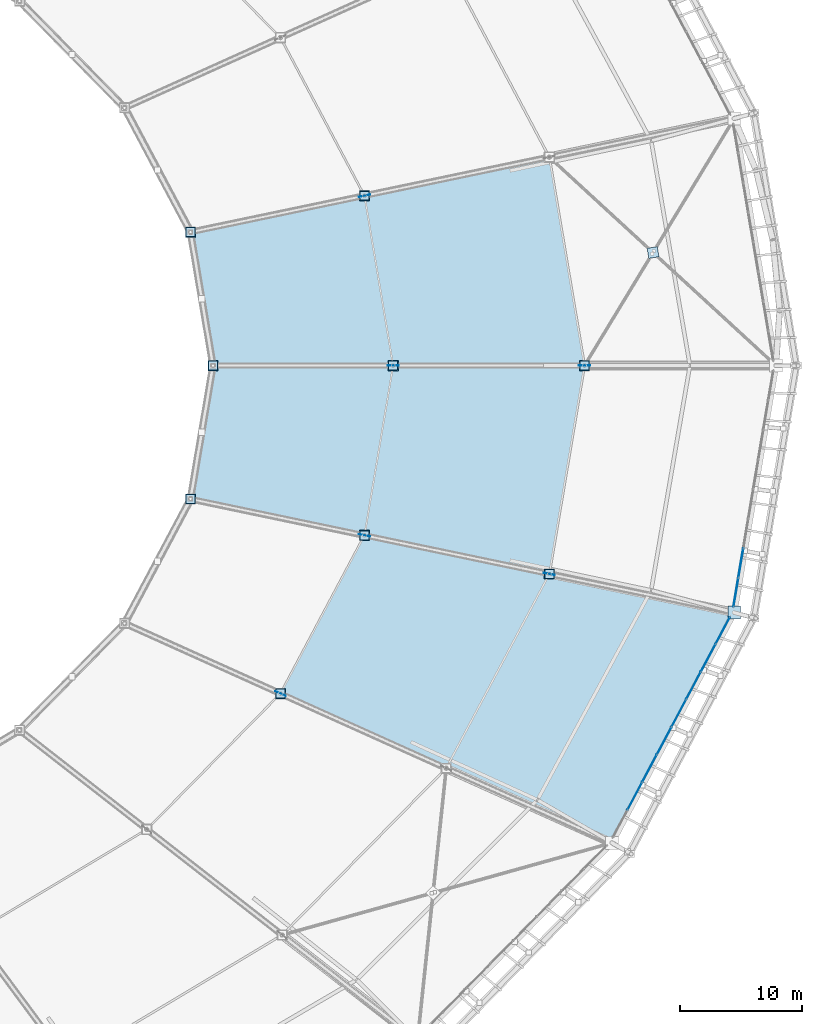
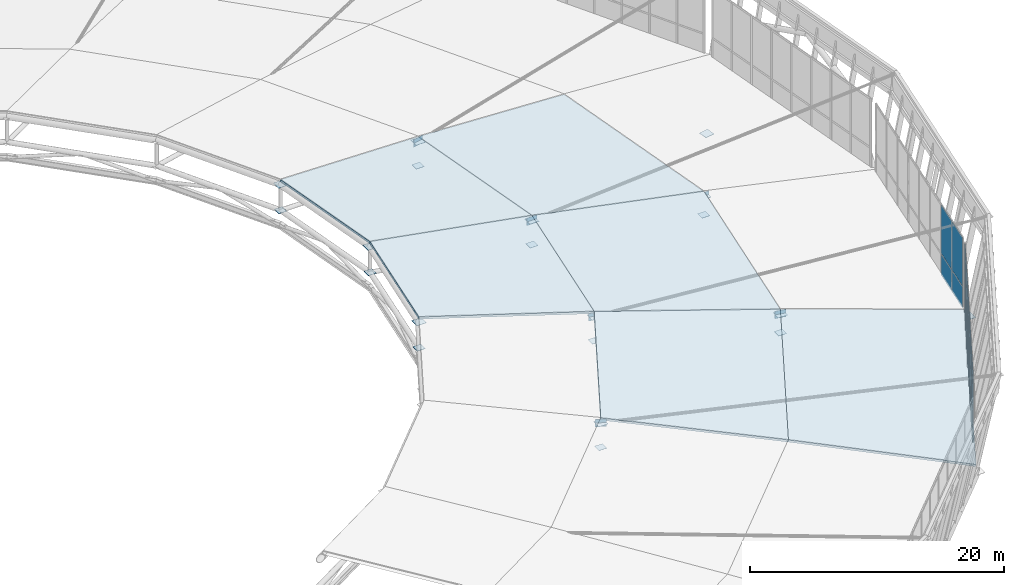
# One storey, part 92 of 115: 44 plates, 6 slabs, 4 elements without a shape of their own.
"""IFC4 building model written with IfcOpenShell, lengths in metres."""

from ifc_helpers import new_model, si_unit, direction, frame, origin, origin_2d, place, context, subcontext, project, spatial, polyline, rectangle, outline, extrude, material, layer, layer_set, type_object, element, aggregate, save


model = new_model("IFC4")

# Units and contexts
model_context = context("Model", 3, precision=1e-05, world=origin(), true_north=direction((0.0, 1.0)))
body_context = subcontext(model_context, "Body", "Model", "MODEL_VIEW")
ifc_project = project(units=[si_unit("LENGTHUNIT", "METRE"), si_unit("AREAUNIT", "SQUARE_METRE"), si_unit("VOLUMEUNIT", "CUBIC_METRE"), si_unit("PLANEANGLEUNIT", "RADIAN"), si_unit("MASSUNIT", "GRAM", prefix="KILO")], contexts=[model_context])

# Site, building, storey
site_placement = place(None, origin())
site = spatial("IfcSite", under=ifc_project, at=site_placement, CompositionType="ELEMENT")
building_placement = place(site_placement, origin())
building = spatial("IfcBuilding", under=site, at=building_placement, Name="Zlatoyarsky Gate Stadium", CompositionType="ELEMENT")
storey_placement = place(building_placement, frame((0.0, 0.0, 31.800048828125)))
storey = spatial("IfcBuildingStorey", under=building, at=storey_placement, Name="RF", CompositionType="ELEMENT", Elevation=31.800048828125)

# Roof, slabs
ifc_material_1 = material(Name="Standing-seam aluminium-zinc roofing with mineral wool insulation", Category="aluminium")
ifc_layer_1 = layer(ifc_material_1, 0.080078125)
ifc_layer_set_1 = layer_set([ifc_layer_1], Name="Standing-seam aluminium-zinc roofing with mineral wool insulation")
roof_type = type_object("IfcRoofType", Name="STADIUM BARREL VAULT ROOF ASSEMBLY", PredefinedType="BARREL_ROOF", material=ifc_layer_set_1)
roof_1_placement = place(storey_placement, origin())
roof_1 = element("IfcRoof", 1, at=roof_1_placement, inside=storey, type_object=roof_type, Name="Stadium barrel arch roof sector 1", PredefinedType="BARREL_ROOF")
ifc_material_2 = material(Name="Concrete C40/50", Category="concrete")
ifc_layer_2 = layer(ifc_material_2, 0.199951171875)
ifc_layer_set_2 = layer_set([ifc_layer_2], Name="Concrete C40/50")
slab_type = type_object("IfcSlabType", Name="COMPOSITE STADIUM ROOF DECK SLAB 200", PredefinedType="ROOF", material=ifc_layer_set_2)
slab_1_placement = place(storey_placement, frame((195.38330078125, 80.0, 3.599853515625), z_axis=(0.197288387171, 0.033296875225, 0.979779878538), x_axis=(-0.166415266345, 0.98605575863, -7.92078e-07)))
slab_1 = element("IfcSlab", 2, at=slab_1_placement, type_object=slab_type, Name="Stadium arched roof deck sector 00 bay 2", PredefinedType="ROOF", context=body_context, shape_type="SweptSolid", body=[
    extrude(outline(polyline([(0.0, 0.0), (17.27754285655257, 4.440892098500626e-16), (16.677650205279438, 15.74462196374074), (2.603445710929395, 15.744497847299712), (0.0, 0.0)])), origin(), (0.0, 0.0, -1.0), 0.199951171875),
])
slab_2_placement = place(storey_placement, frame((179.739013671875, 80.0, 6.75), z_axis=(0.177045392064, 0.029881380548, 0.983748968104), x_axis=(-0.166423993428, 0.986054285732, -6.3215e-08)))
slab_2 = element("IfcSlab", 3, at=slab_2_placement, type_object=slab_type, Name="Stadium arched roof deck sector 00 bay 3", PredefinedType="ROOF", context=body_context, shape_type="SweptSolid", body=[
    extrude(outline(polyline([(0.0, 0.0), (14.074204494904219, 0.0), (13.509954511495028, 14.758634617646527), (2.4504468646312674, 14.758625768629122), (0.0, 0.0)])), origin(), (0.0, 0.0, -1.0), 0.199951171875),
])
aggregate(roof_1, [slab_1, slab_2])

roof_2_placement = place(storey_placement, origin())
roof_2 = element("IfcRoof", 4, at=roof_2_placement, inside=storey, type_object=roof_type, Name="Stadium barrel arch roof sector 8", PredefinedType="BARREL_ROOF")
slab_3_placement = place(storey_placement, frame((197.62646484375, 40.986083984375, 0.199951171875), z_axis=(0.197393520935, -0.104815476231, 0.974704834212), x_axis=(0.468978328534, 0.8832096735, 7.78726e-07)))
slab_3 = element("IfcSlab", 5, at=slab_3_placement, type_object=slab_type, Name="Stadium arched roof deck sector 22 bay 1", PredefinedType="ROOF", context=body_context, shape_type="SweptSolid", body=[
    extrude(outline(polyline([(0.0, 0.0), (21.30733667960491, 3.552713678800501e-15), (17.010139596106686, 15.212300335087066), (-0.9647004759132345, 15.21243720578129), (0.0, 0.0)])), origin(), (0.0, 0.0, -1.0), 0.199951171875),
])
slab_4_placement = place(storey_placement, frame((184.078125, 47.087890625, 3.599853515625), z_axis=(0.183541042483, -0.097459660481, 0.97816885061), x_axis=(0.46898487922, 0.883206195099, -1.019999e-06)))
slab_4 = element("IfcSlab", 6, at=slab_4_placement, type_object=slab_type, Name="Stadium arched roof deck sector 22 bay 2", PredefinedType="ROOF", context=body_context, shape_type="SweptSolid", body=[
    extrude(outline(polyline([(0.0, 0.0), (17.97484007253932, 0.0), (13.67762828224083, 15.158725632562989), (-0.9648163121027542, 15.15856553760574), (0.0, 0.0)])), origin(), (0.0, 0.0, -1.0), 0.199951171875),
])
slab_5_placement = place(storey_placement, frame((192.508056640625, 62.96337890625, 3.599853515625), z_axis=(0.197288387171, -0.033296875225, 0.979779878538), x_axis=(0.166415266345, 0.98605575863, 7.92078e-07)))
slab_5 = element("IfcSlab", 7, at=slab_5_placement, type_object=slab_type, Name="Stadium arched roof deck sector 23 bay 2", PredefinedType="ROOF", context=body_context, shape_type="SweptSolid", body=[
    extrude(outline(polyline([(0.0, 0.0), (17.27754285655257, -4.440892098500626e-16), (14.674097145623177, 15.744497847299712), (0.5998926512731327, 15.744621963740737), (0.0, 0.0)])), origin(), (0.0, 0.0, -1.0), 0.199951171875),
])
slab_6_placement = place(storey_placement, frame((177.396728515625, 66.1220703125, 6.75), z_axis=(0.177045392064, -0.029881380548, 0.983748968104), x_axis=(0.166423993428, 0.986054285732, 6.3215e-08)))
slab_6 = element("IfcSlab", 8, at=slab_6_placement, type_object=slab_type, Name="Stadium arched roof deck sector 23 bay 3", PredefinedType="ROOF", context=body_context, shape_type="SweptSolid", body=[
    extrude(outline(polyline([(0.0, 0.0), (14.074204494904219, 0.0), (11.623757630272953, 14.758625768629122), (0.5642499834091927, 14.758634617646527), (0.0, 0.0)])), origin(), (0.0, 0.0, -1.0), 0.199951171875),
])
aggregate(roof_2, [slab_3, slab_4, slab_5, slab_6])

# Plates
ifc_material_3 = material(Name="Steel S355", Category="steel")
ifc_layer_3 = layer(ifc_material_3, 0.02392578125)
ifc_layer_set_3 = layer_set([ifc_layer_3], Name="Steel S355")
plate_type_1 = type_object("IfcPlateType", Name="STEEL COMPRESSION RING NODE CAP SHEET 24", PredefinedType="SHEET", material=ifc_layer_set_3)
plate_1_placement = place(storey_placement, frame((207.619140625, 59.804931640625, -0.4619140625), z_axis=(0.0, 0.0, 1.0), x_axis=(1.0, 0.0, 0.0)))
element("IfcPlate", 9, at=plate_1_placement, inside=storey, type_object=plate_type_1, Name="Node closure plate ND-CR1 NCAP-CR-23", PredefinedType="SHEET", context=body_context, shape_type="SweptSolid", body=[
    extrude(rectangle(XDim=1.050048828125, YDim=1.050048828125, at=origin_2d()), origin(), (0.0, 0.0, 1.0), 0.02392578125),
])
ifc_layer_4 = layer(ifc_material_3, 0.02392578125)
ifc_layer_set_4 = layer_set([ifc_layer_4], Name="Steel S355")
plate_type_2 = type_object("IfcPlateType", Name="STEEL HOLLOW CHORD SPLICE SHEET 24", PredefinedType="SHEET", material=ifc_layer_set_4)
plate_2_placement = place(storey_placement, frame((195.38330078125, 80.0, 3.137939453125), z_axis=(0.0, 0.0, 1.0), x_axis=(1.0, 0.0, 0.0)))
element("IfcPlate", 10, at=plate_2_placement, inside=storey, type_object=plate_type_2, Name="Node closure plate ND-SP1 NCAP-TCH-00-1", PredefinedType="SHEET", context=body_context, shape_type="SweptSolid", body=[
    extrude(rectangle(XDim=0.85009765625, YDim=0.85009765625, at=origin_2d()), origin(), (0.0, 0.0, 1.0), 0.02392578125),
])
plate_3_placement = place(storey_placement, frame((195.38330078125, 80.0, 1.337890625), z_axis=(0.0, 0.0, 1.0), x_axis=(1.0, 0.0, 0.0)))
element("IfcPlate", 11, at=plate_3_placement, inside=storey, type_object=plate_type_2, Name="Node closure plate ND-SP1 NCAP-BCH-00-1", PredefinedType="SHEET", context=body_context, shape_type="SweptSolid", body=[
    extrude(rectangle(XDim=0.719970703125, YDim=0.719970703125, at=origin_2d()), origin(), (0.0, 0.0, 1.0), 0.02392578125),
])
plate_4_placement = place(storey_placement, frame((179.739013671875, 80.0, 6.2880859375), z_axis=(0.0, 0.0, 1.0), x_axis=(1.0, 0.0, 0.0)))
element("IfcPlate", 12, at=plate_4_placement, inside=storey, type_object=plate_type_2, Name="Node closure plate ND-SP1 NCAP-TCH-00-2", PredefinedType="SHEET", context=body_context, shape_type="SweptSolid", body=[
    extrude(rectangle(XDim=0.85009765625, YDim=0.85009765625, at=origin_2d()), origin(), (0.0, 0.0, 1.0), 0.02392578125),
])
plate_5_placement = place(storey_placement, frame((179.739013671875, 80.0, 3.93798828125), z_axis=(0.0, 0.0, 1.0), x_axis=(1.0, 0.0, 0.0)))
element("IfcPlate", 13, at=plate_5_placement, inside=storey, type_object=plate_type_2, Name="Node closure plate ND-SP1 NCAP-BCH-00-2", PredefinedType="SHEET", context=body_context, shape_type="SweptSolid", body=[
    extrude(rectangle(XDim=0.719970703125, YDim=0.719970703125, at=origin_2d()), origin(), (0.0, 0.0, 1.0), 0.02392578125),
])
plate_6_placement = place(storey_placement, frame((177.396728515625, 93.8779296875, 6.2880859375), z_axis=(0.0, 0.0, 1.0), x_axis=(1.0, 0.0, 0.0)))
element("IfcPlate", 14, at=plate_6_placement, inside=storey, type_object=plate_type_2, Name="Node closure plate ND-SP1 NCAP-TCH-01-2", PredefinedType="SHEET", context=body_context, shape_type="SweptSolid", body=[
    extrude(rectangle(XDim=0.85009765625, YDim=0.85009765625, at=origin_2d()), origin(), (0.0, 0.0, 1.0), 0.02392578125),
])
plate_7_placement = place(storey_placement, frame((177.396728515625, 93.8779296875, 3.93798828125), z_axis=(0.0, 0.0, 1.0), x_axis=(1.0, 0.0, 0.0)))
element("IfcPlate", 15, at=plate_7_placement, inside=storey, type_object=plate_type_2, Name="Node closure plate ND-SP1 NCAP-BCH-01-2", PredefinedType="SHEET", context=body_context, shape_type="SweptSolid", body=[
    extrude(rectangle(XDim=0.719970703125, YDim=0.719970703125, at=origin_2d()), origin(), (0.0, 0.0, 1.0), 0.02392578125),
])
plate_8_placement = place(storey_placement, frame((170.52978515625, 53.189697265625, 6.2880859375), z_axis=(0.0, 0.0, 1.0), x_axis=(1.0, 0.0, 0.0)))
element("IfcPlate", 16, at=plate_8_placement, inside=storey, type_object=plate_type_2, Name="Node closure plate ND-SP1 NCAP-TCH-22-2", PredefinedType="SHEET", context=body_context, shape_type="SweptSolid", body=[
    extrude(rectangle(XDim=0.85009765625, YDim=0.85009765625, at=origin_2d()), origin(), (0.0, 0.0, 1.0), 0.02392578125),
])
plate_9_placement = place(storey_placement, frame((170.52978515625, 53.189697265625, 3.93798828125), z_axis=(0.0, 0.0, 1.0), x_axis=(1.0, 0.0, 0.0)))
element("IfcPlate", 17, at=plate_9_placement, inside=storey, type_object=plate_type_2, Name="Node closure plate ND-SP1 NCAP-BCH-22-2", PredefinedType="SHEET", context=body_context, shape_type="SweptSolid", body=[
    extrude(rectangle(XDim=0.719970703125, YDim=0.719970703125, at=origin_2d()), origin(), (0.0, 0.0, 1.0), 0.02392578125),
])
plate_10_placement = place(storey_placement, frame((192.508056640625, 62.96337890625, 3.137939453125), z_axis=(0.0, 0.0, 1.0), x_axis=(1.0, 0.0, 0.0)))
element("IfcPlate", 18, at=plate_10_placement, inside=storey, type_object=plate_type_2, Name="Node closure plate ND-SP1 NCAP-TCH-23-1", PredefinedType="SHEET", context=body_context, shape_type="SweptSolid", body=[
    extrude(rectangle(XDim=0.85009765625, YDim=0.85009765625, at=origin_2d()), origin(), (0.0, 0.0, 1.0), 0.02392578125),
])
plate_11_placement = place(storey_placement, frame((192.508056640625, 62.96337890625, 1.337890625), z_axis=(0.0, 0.0, 1.0), x_axis=(1.0, 0.0, 0.0)))
element("IfcPlate", 19, at=plate_11_placement, inside=storey, type_object=plate_type_2, Name="Node closure plate ND-SP1 NCAP-BCH-23-1", PredefinedType="SHEET", context=body_context, shape_type="SweptSolid", body=[
    extrude(rectangle(XDim=0.719970703125, YDim=0.719970703125, at=origin_2d()), origin(), (0.0, 0.0, 1.0), 0.02392578125),
])
plate_12_placement = place(storey_placement, frame((177.396728515625, 66.1220703125, 6.2880859375), z_axis=(0.0, 0.0, 1.0), x_axis=(1.0, 0.0, 0.0)))
element("IfcPlate", 20, at=plate_12_placement, inside=storey, type_object=plate_type_2, Name="Node closure plate ND-SP1 NCAP-TCH-23-2", PredefinedType="SHEET", context=body_context, shape_type="SweptSolid", body=[
    extrude(rectangle(XDim=0.85009765625, YDim=0.85009765625, at=origin_2d()), origin(), (0.0, 0.0, 1.0), 0.02392578125),
])
plate_13_placement = place(storey_placement, frame((177.396728515625, 66.1220703125, 3.93798828125), z_axis=(0.0, 0.0, 1.0), x_axis=(1.0, 0.0, 0.0)))
element("IfcPlate", 21, at=plate_13_placement, inside=storey, type_object=plate_type_2, Name="Node closure plate ND-SP1 NCAP-BCH-23-2", PredefinedType="SHEET", context=body_context, shape_type="SweptSolid", body=[
    extrude(rectangle(XDim=0.719970703125, YDim=0.719970703125, at=origin_2d()), origin(), (0.0, 0.0, 1.0), 0.02392578125),
])
ifc_layer_5 = layer(ifc_material_3, 0.031982421875)
ifc_layer_set_5 = layer_set([ifc_layer_5], Name="Steel S355")
plate_type_3 = type_object("IfcPlateType", Name="STEEL RADIAL TRUSS GUSSET PLATE 32", PredefinedType="USERDEFINED", material=ifc_layer_set_5)
for number, where, z_axis, x_axis, name in (
    (22, (195.38330078125, 80.0, 2.7900390625), (0.0, 0.0, 1.0), (-1.0, 0.0, 0.0), "Radial truss gusset plate ND-WB1 00.1"),
    (23, (179.739013671875, 80.0, 5.93994140625), (0.0, 0.0, 1.0), (-1.0, 0.0, 0.0), "Radial truss gusset plate ND-WB1 00.2"),
    (24, (177.396728515625, 93.8779296875, 5.93994140625), (0.0, 0.0, 1.0), (-0.97884666261, -0.204595237232, 0.0), "Radial truss gusset plate ND-WB1 01.2"),
    (25, (170.52978515625, 53.189697265625, 5.93994140625), (0.0, 0.0, 1.0), (-0.911795809075, 0.410643887757, 0.0), "Radial truss gusset plate ND-WB1 22.2"),
    (26, (192.508056640625, 62.96337890625, 2.7900390625), (0.0, 0.0, 1.0), (-0.97884666261, 0.204595237232, 0.0), "Radial truss gusset plate ND-WB1 23.1"),
    (27, (177.396728515625, 66.1220703125, 5.93994140625), (0.0, 0.0, 1.0), (-0.97884666261, 0.204595237232, 0.0), "Radial truss gusset plate ND-WB1 23.2"),
):
    element("IfcPlate", number, at=place(storey_placement, frame(where, z_axis=z_axis, x_axis=x_axis)), inside=storey, type_object=plate_type_3, Name=name, ObjectType="GUSSET PLATE", PredefinedType="USERDEFINED", context=body_context, shape_type="SweptSolid", body=[
        extrude(rectangle(XDim=0.919921875, YDim=0.031982421875, at=origin_2d()), origin(), (0.0, 0.0, 1.0), 0.719970703125),
    ])
ifc_layer_6 = layer(ifc_material_3, 0.02392578125)
ifc_layer_set_6 = layer_set([ifc_layer_6], Name="Steel S355")
plate_type_4 = type_object("IfcPlateType", Name="STEEL TENSION RING NODE CAP SHEET 24", PredefinedType="SHEET", material=ifc_layer_set_6)
plate_14_placement = place(storey_placement, frame((165.014892578125, 80.0, 8.93798828125), z_axis=(0.0, 0.0, 1.0), x_axis=(1.0, 0.0, 0.0)))
element("IfcPlate", 28, at=plate_14_placement, inside=storey, type_object=plate_type_4, Name="Node closure plate ND-TR1 NCAP-TCH-00-3", PredefinedType="SHEET", context=body_context, shape_type="SweptSolid", body=[
    extrude(rectangle(XDim=0.85009765625, YDim=0.85009765625, at=origin_2d()), origin(), (0.0, 0.0, 1.0), 0.02392578125),
])
plate_15_placement = place(storey_placement, frame((165.014892578125, 80.0, 6.43798828125), z_axis=(0.0, 0.0, 1.0), x_axis=(1.0, 0.0, 0.0)))
element("IfcPlate", 29, at=plate_15_placement, inside=storey, type_object=plate_type_4, Name="Node closure plate ND-TR1 NCAP-BCH-00-3", PredefinedType="SHEET", context=body_context, shape_type="SweptSolid", body=[
    extrude(rectangle(XDim=0.719970703125, YDim=0.719970703125, at=origin_2d()), origin(), (0.0, 0.0, 1.0), 0.02392578125),
])
plate_16_placement = place(storey_placement, frame((163.17431640625, 90.9052734375, 8.93798828125), z_axis=(0.0, 0.0, 1.0), x_axis=(1.0, 0.0, 0.0)))
element("IfcPlate", 30, at=plate_16_placement, inside=storey, type_object=plate_type_4, Name="Node closure plate ND-TR1 NCAP-TCH-01-3", PredefinedType="SHEET", context=body_context, shape_type="SweptSolid", body=[
    extrude(rectangle(XDim=0.85009765625, YDim=0.85009765625, at=origin_2d()), origin(), (0.0, 0.0, 1.0), 0.02392578125),
])
plate_17_placement = place(storey_placement, frame((163.17431640625, 90.9052734375, 6.43798828125), z_axis=(0.0, 0.0, 1.0), x_axis=(1.0, 0.0, 0.0)))
element("IfcPlate", 31, at=plate_17_placement, inside=storey, type_object=plate_type_4, Name="Node closure plate ND-TR1 NCAP-BCH-01-3", PredefinedType="SHEET", context=body_context, shape_type="SweptSolid", body=[
    extrude(rectangle(XDim=0.719970703125, YDim=0.719970703125, at=origin_2d()), origin(), (0.0, 0.0, 1.0), 0.02392578125),
])
plate_18_placement = place(storey_placement, frame((163.17431640625, 69.0947265625, 8.93798828125), z_axis=(0.0, 0.0, 1.0), x_axis=(1.0, 0.0, 0.0)))
element("IfcPlate", 32, at=plate_18_placement, inside=storey, type_object=plate_type_4, Name="Node closure plate ND-TR1 NCAP-TCH-23-3", PredefinedType="SHEET", context=body_context, shape_type="SweptSolid", body=[
    extrude(rectangle(XDim=0.85009765625, YDim=0.85009765625, at=origin_2d()), origin(), (0.0, 0.0, 1.0), 0.02392578125),
])
plate_19_placement = place(storey_placement, frame((163.17431640625, 69.0947265625, 6.43798828125), z_axis=(0.0, 0.0, 1.0), x_axis=(1.0, 0.0, 0.0)))
element("IfcPlate", 33, at=plate_19_placement, inside=storey, type_object=plate_type_4, Name="Node closure plate ND-TR1 NCAP-BCH-23-3", PredefinedType="SHEET", context=body_context, shape_type="SweptSolid", body=[
    extrude(rectangle(XDim=0.719970703125, YDim=0.719970703125, at=origin_2d()), origin(), (0.0, 0.0, 1.0), 0.02392578125),
])
ifc_layer_7 = layer(ifc_material_3, 0.02392578125)
ifc_layer_set_7 = layer_set([ifc_layer_7], Name="Steel S355")
plate_type_5 = type_object("IfcPlateType", Name="STEEL X BRACE CROSSING NODE PLATE 24", PredefinedType="USERDEFINED", material=ifc_layer_set_7)
plate_20_placement = place(storey_placement, frame((200.982177734375, 89.240966796875, 1.582275390625), z_axis=(0.0, 0.0, 1.0), x_axis=(-0.166424559018, 0.986054190273, 0.0)))
element("IfcPlate", 34, at=plate_20_placement, inside=storey, type_object=plate_type_5, Name="Roof wind X-brace crossing gusset plate ND-XB1 00", ObjectType="GUSSET PLATE", PredefinedType="USERDEFINED", context=body_context, shape_type="SweptSolid", body=[
    extrude(rectangle(XDim=0.840087890625, YDim=0.840087890625, at=origin_2d()), origin(), (0.0, 0.0, 1.0), 0.02392578125),
])

# Curtain wall, plates
ifc_material_4 = material(Name="Thermally broken anodised aluminium curtain wall", Category="aluminium")
curtain_wall_type = type_object("IfcCurtainWallType", Name="UNITISED SKYBOX RING GLAZING L05", PredefinedType="USERDEFINED", material=ifc_material_4)
curtain_wall_1_placement = place(storey_placement, origin())
curtain_wall_1 = element("IfcCurtainWall", 35, at=curtain_wall_1_placement, inside=storey, type_object=curtain_wall_type, Name="Curtain wall CW-RF-22", ObjectType="UNITISED GLAZING", PredefinedType="USERDEFINED")
ifc_material_5 = material(Name="Triple-glazed argon low-e architectural glass", Category="glass")
ifc_layer_8 = layer(ifc_material_5, 0.0380859375)
ifc_layer_set_8 = layer_set([ifc_layer_8], Name="Triple-glazed argon low-e architectural glass")
plate_type_6 = type_object("IfcPlateType", Name="TRIPLE GLAZED LOW E CURTAIN PANEL 38", PredefinedType="CURTAIN_PANEL", material=ifc_layer_set_8)
plate_21_placement = place(storey_placement, frame((199.49365234375, 44.79931640625, 0.06494140625), z_axis=(0.0, 0.0, 1.0), x_axis=(0.469126652345, 0.883130898599, 0.0)))
plate_21 = element("IfcPlate", 36, at=plate_21_placement, type_object=plate_type_6, Name="CW-UG5 panel 2.1", PredefinedType="CURTAIN_PANEL", context=body_context, shape_type="SweptSolid", body=[
    extrude(rectangle(XDim=2.493896484375, YDim=0.0380859375, at=origin_2d()), origin(), (0.0, 0.0, 1.0), 2.052490234375),
])
plate_22_placement = place(storey_placement, frame((199.49365234375, 44.79931640625, 2.1826171875), z_axis=(0.0, 0.0, 1.0), x_axis=(0.469126652345, 0.883130898599, 0.0)))
plate_22 = element("IfcPlate", 37, at=plate_22_placement, type_object=plate_type_6, Name="CW-UG5 panel 2.2", PredefinedType="CURTAIN_PANEL", context=body_context, shape_type="SweptSolid", body=[
    extrude(rectangle(XDim=2.493896484375, YDim=0.0380859375, at=origin_2d()), origin(), (0.0, 0.0, 1.0), 4.652587890625),
])
plate_23_placement = place(storey_placement, frame((200.69384765625, 47.05908203125, 0.06494140625), z_axis=(0.0, 0.0, 1.0), x_axis=(0.469126652345, 0.883130898599, 0.0)))
plate_23 = element("IfcPlate", 38, at=plate_23_placement, type_object=plate_type_6, Name="CW-UG5 panel 3.1", PredefinedType="CURTAIN_PANEL", context=body_context, shape_type="SweptSolid", body=[
    extrude(rectangle(XDim=2.493896484375, YDim=0.0380859375, at=origin_2d()), origin(), (0.0, 0.0, 1.0), 2.052490234375),
])
plate_24_placement = place(storey_placement, frame((200.69384765625, 47.05908203125, 2.1826171875), z_axis=(0.0, 0.0, 1.0), x_axis=(0.469126652345, 0.883130898599, 0.0)))
plate_24 = element("IfcPlate", 39, at=plate_24_placement, type_object=plate_type_6, Name="CW-UG5 panel 3.2", PredefinedType="CURTAIN_PANEL", context=body_context, shape_type="SweptSolid", body=[
    extrude(rectangle(XDim=2.493896484375, YDim=0.0380859375, at=origin_2d()), origin(), (0.0, 0.0, 1.0), 4.652587890625),
])
plate_25_placement = place(storey_placement, frame((201.894287109375, 49.31884765625, 0.06494140625), z_axis=(0.0, 0.0, 1.0), x_axis=(0.469126652345, 0.883130898599, 0.0)))
plate_25 = element("IfcPlate", 40, at=plate_25_placement, type_object=plate_type_6, Name="CW-UG5 panel 4.1", PredefinedType="CURTAIN_PANEL", context=body_context, shape_type="SweptSolid", body=[
    extrude(rectangle(XDim=2.493896484375, YDim=0.0380859375, at=origin_2d()), origin(), (0.0, 0.0, 1.0), 2.052490234375),
])
plate_26_placement = place(storey_placement, frame((201.894287109375, 49.31884765625, 2.1826171875), z_axis=(0.0, 0.0, 1.0), x_axis=(0.469126652345, 0.883130898599, 0.0)))
plate_26 = element("IfcPlate", 41, at=plate_26_placement, type_object=plate_type_6, Name="CW-UG5 panel 4.2", PredefinedType="CURTAIN_PANEL", context=body_context, shape_type="SweptSolid", body=[
    extrude(rectangle(XDim=2.493896484375, YDim=0.0380859375, at=origin_2d()), origin(), (0.0, 0.0, 1.0), 4.652587890625),
])
plate_27_placement = place(storey_placement, frame((203.0947265625, 51.57861328125, 0.06494140625), z_axis=(0.0, 0.0, 1.0), x_axis=(0.469126652345, 0.883130898599, 0.0)))
plate_27 = element("IfcPlate", 42, at=plate_27_placement, type_object=plate_type_6, Name="CW-UG5 panel 5.1", PredefinedType="CURTAIN_PANEL", context=body_context, shape_type="SweptSolid", body=[
    extrude(rectangle(XDim=2.493896484375, YDim=0.0380859375, at=origin_2d()), origin(), (0.0, 0.0, 1.0), 2.052490234375),
])
plate_28_placement = place(storey_placement, frame((203.0947265625, 51.57861328125, 2.1826171875), z_axis=(0.0, 0.0, 1.0), x_axis=(0.469126652345, 0.883130898599, 0.0)))
plate_28 = element("IfcPlate", 43, at=plate_28_placement, type_object=plate_type_6, Name="CW-UG5 panel 5.2", PredefinedType="CURTAIN_PANEL", context=body_context, shape_type="SweptSolid", body=[
    extrude(rectangle(XDim=2.493896484375, YDim=0.0380859375, at=origin_2d()), origin(), (0.0, 0.0, 1.0), 4.652587890625),
])
plate_29_placement = place(storey_placement, frame((204.295166015625, 53.83837890625, 0.06494140625), z_axis=(0.0, 0.0, 1.0), x_axis=(0.469126652345, 0.883130898599, 0.0)))
plate_29 = element("IfcPlate", 44, at=plate_29_placement, type_object=plate_type_6, Name="CW-UG5 panel 6.1", PredefinedType="CURTAIN_PANEL", context=body_context, shape_type="SweptSolid", body=[
    extrude(rectangle(XDim=2.493896484375, YDim=0.0380859375, at=origin_2d()), origin(), (0.0, 0.0, 1.0), 2.052490234375),
])
plate_30_placement = place(storey_placement, frame((204.295166015625, 53.83837890625, 2.1826171875), z_axis=(0.0, 0.0, 1.0), x_axis=(0.469126652345, 0.883130898599, 0.0)))
plate_30 = element("IfcPlate", 45, at=plate_30_placement, type_object=plate_type_6, Name="CW-UG5 panel 6.2", PredefinedType="CURTAIN_PANEL", context=body_context, shape_type="SweptSolid", body=[
    extrude(rectangle(XDim=2.493896484375, YDim=0.0380859375, at=origin_2d()), origin(), (0.0, 0.0, 1.0), 4.652587890625),
])
plate_31_placement = place(storey_placement, frame((205.49560546875, 56.09814453125, 0.06494140625), z_axis=(0.0, 0.0, 1.0), x_axis=(0.469126652345, 0.883130898599, 0.0)))
plate_31 = element("IfcPlate", 46, at=plate_31_placement, type_object=plate_type_6, Name="CW-UG5 panel 7.1", PredefinedType="CURTAIN_PANEL", context=body_context, shape_type="SweptSolid", body=[
    extrude(rectangle(XDim=2.493896484375, YDim=0.0380859375, at=origin_2d()), origin(), (0.0, 0.0, 1.0), 2.052490234375),
])
plate_32_placement = place(storey_placement, frame((205.49560546875, 56.09814453125, 2.1826171875), z_axis=(0.0, 0.0, 1.0), x_axis=(0.469126652345, 0.883130898599, 0.0)))
plate_32 = element("IfcPlate", 47, at=plate_32_placement, type_object=plate_type_6, Name="CW-UG5 panel 7.2", PredefinedType="CURTAIN_PANEL", context=body_context, shape_type="SweptSolid", body=[
    extrude(rectangle(XDim=2.493896484375, YDim=0.0380859375, at=origin_2d()), origin(), (0.0, 0.0, 1.0), 4.652587890625),
])
plate_33_placement = place(storey_placement, frame((206.6884765625, 58.34375, 0.06494140625), z_axis=(0.0, 0.0, 1.0), x_axis=(0.469126652345, 0.883130898599, 0.0)))
plate_33 = element("IfcPlate", 48, at=plate_33_placement, type_object=plate_type_6, Name="CW-UG5 panel 8.1", PredefinedType="CURTAIN_PANEL", context=body_context, shape_type="SweptSolid", body=[
    extrude(rectangle(XDim=2.46142578125, YDim=0.0380859375, at=origin_2d()), origin(), (0.0, 0.0, 1.0), 2.052490234375),
])
plate_34_placement = place(storey_placement, frame((206.6884765625, 58.34375, 2.1826171875), z_axis=(0.0, 0.0, 1.0), x_axis=(0.469126652345, 0.883130898599, 0.0)))
plate_34 = element("IfcPlate", 49, at=plate_34_placement, type_object=plate_type_6, Name="CW-UG5 panel 8.2", PredefinedType="CURTAIN_PANEL", context=body_context, shape_type="SweptSolid", body=[
    extrude(rectangle(XDim=2.46142578125, YDim=0.0380859375, at=origin_2d()), origin(), (0.0, 0.0, 1.0), 4.652587890625),
])
aggregate(curtain_wall_1, [plate_21, plate_22, plate_23, plate_24, plate_25, plate_26, plate_27, plate_28, plate_29, plate_30, plate_31, plate_32, plate_33, plate_34])

curtain_wall_2_placement = place(storey_placement, origin())
curtain_wall_2 = element("IfcCurtainWall", 50, at=curtain_wall_2_placement, inside=storey, type_object=curtain_wall_type, Name="Curtain wall CW-RF-23", ObjectType="UNITISED GLAZING", PredefinedType="USERDEFINED")
plate_35_placement = place(storey_placement, frame((207.7578125, 61.462158203125, 0.06494140625), z_axis=(0.0, 0.0, 1.0), x_axis=(0.166482179311, 0.986044463486, 0.0)))
plate_35 = element("IfcPlate", 51, at=plate_35_placement, type_object=plate_type_6, Name="CW-UG5 panel 1.1", PredefinedType="CURTAIN_PANEL", context=body_context, shape_type="SweptSolid", body=[
    extrude(rectangle(XDim=2.35791015625, YDim=0.0380859375, at=origin_2d()), origin(), (0.0, 0.0, 1.0), 2.052490234375),
])
plate_36_placement = place(storey_placement, frame((207.7578125, 61.462158203125, 2.1826171875), z_axis=(0.0, 0.0, 1.0), x_axis=(0.166482179311, 0.986044463486, 0.0)))
plate_36 = element("IfcPlate", 52, at=plate_36_placement, type_object=plate_type_6, Name="CW-UG5 panel 1.2", PredefinedType="CURTAIN_PANEL", context=body_context, shape_type="SweptSolid", body=[
    extrude(rectangle(XDim=2.35791015625, YDim=0.0380859375, at=origin_2d()), origin(), (0.0, 0.0, 1.0), 4.652587890625),
])
plate_37_placement = place(storey_placement, frame((208.163818359375, 63.867431640625, 0.06494140625), z_axis=(0.0, 0.0, 1.0), x_axis=(0.166482179311, 0.986044463486, 0.0)))
plate_37 = element("IfcPlate", 53, at=plate_37_placement, type_object=plate_type_6, Name="CW-UG5 panel 2.1", PredefinedType="CURTAIN_PANEL", context=body_context, shape_type="SweptSolid", body=[
    extrude(rectangle(XDim=2.390625, YDim=0.0380859375, at=origin_2d()), origin(), (0.0, 0.0, 1.0), 2.052490234375),
])
plate_38_placement = place(storey_placement, frame((208.163818359375, 63.867431640625, 2.1826171875), z_axis=(0.0, 0.0, 1.0), x_axis=(0.166482179311, 0.986044463486, 0.0)))
plate_38 = element("IfcPlate", 54, at=plate_38_placement, type_object=plate_type_6, Name="CW-UG5 panel 2.2", PredefinedType="CURTAIN_PANEL", context=body_context, shape_type="SweptSolid", body=[
    extrude(rectangle(XDim=2.390625, YDim=0.0380859375, at=origin_2d()), origin(), (0.0, 0.0, 1.0), 4.652587890625),
])
aggregate(curtain_wall_2, [plate_35, plate_36, plate_37, plate_38])

save(model, "model.ifc")
